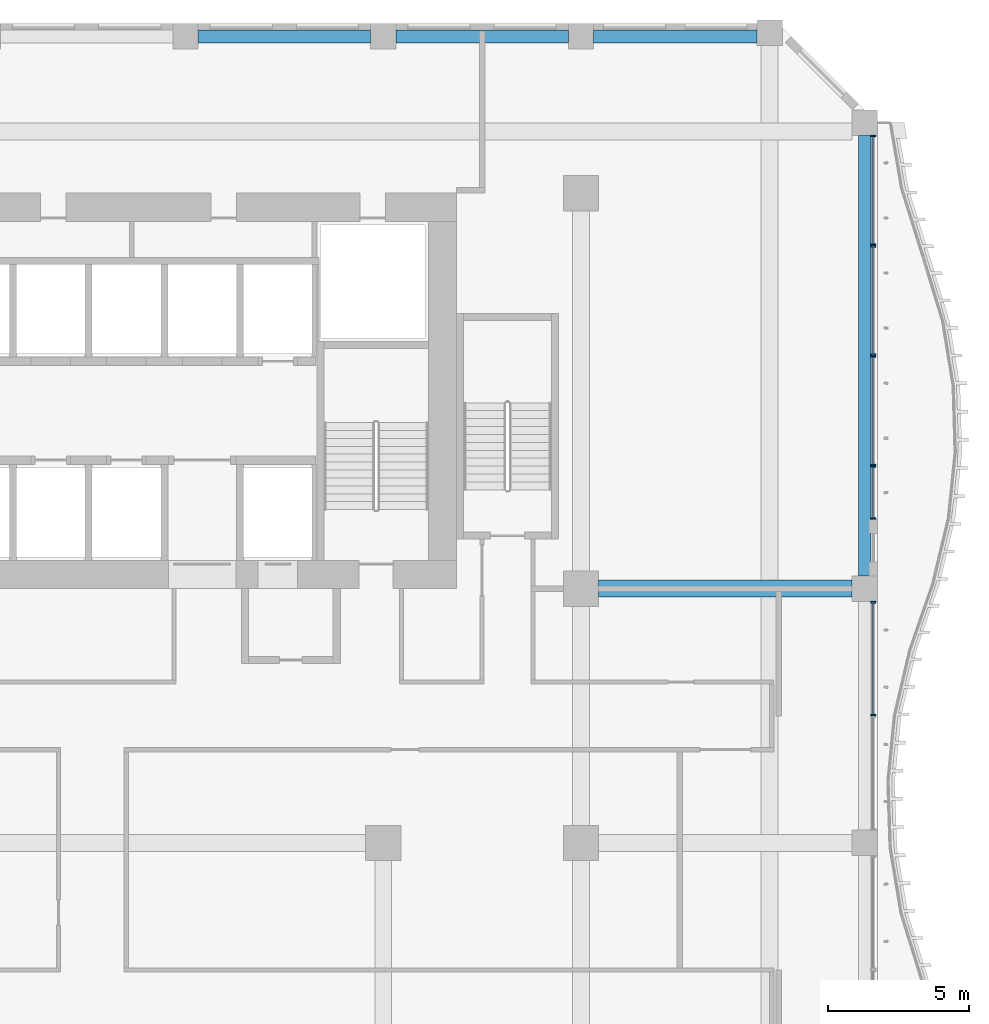
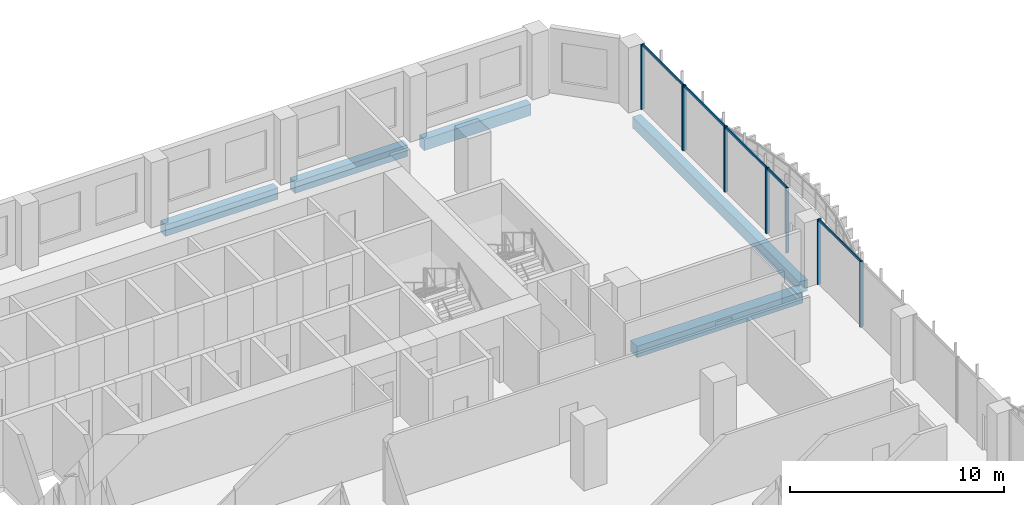
# One storey, part 8 of 25: 15 members, 5 beams, 5 elements without a shape of their own.
"""IFC4 building model written with IfcOpenShell, lengths in metres."""

from ifc_helpers import new_model, si_unit, direction, frame, origin, origin_2d, place, context, subcontext, project, spatial, rectangle, extrude, source, transform, mapped, material, material_profile, profile_set, type_object, element, aggregate, save


model = new_model("IFC4")

# Units and contexts
model_context = context("Model", 3, precision=1e-05, world=origin(), true_north=direction((0.0, 1.0)))
body_context = subcontext(model_context, "Body", "Model", "MODEL_VIEW")
ifc_project = project(units=[si_unit("LENGTHUNIT", "METRE"), si_unit("AREAUNIT", "SQUARE_METRE"), si_unit("VOLUMEUNIT", "CUBIC_METRE"), si_unit("PLANEANGLEUNIT", "RADIAN"), si_unit("MASSUNIT", "GRAM", prefix="KILO")], contexts=[model_context])

# Site, building, storey
site_placement = place(None, origin())
site = spatial("IfcSite", under=ifc_project, at=site_placement, CompositionType="ELEMENT")
building_placement = place(site_placement, origin())
building = spatial("IfcBuilding", under=site, at=building_placement, Name="Kilnfold Tower and Market Hall", CompositionType="ELEMENT")
storey_placement = place(building_placement, frame((0.0, 0.0, 67.199951171875)))
storey = spatial("IfcBuildingStorey", under=building, at=storey_placement, Name="L15", CompositionType="ELEMENT", Elevation=67.199951171875)

# Beams
ifc_material_1 = material(Name="Concrete C45", Category="concrete")
ifc_material_profile_1 = material_profile(ifc_material_1, rectangle(XDim=0.449951171875, YDim=0.64990234375, at=origin_2d()), Name="RC 450x650")
ifc_profile_set_1 = profile_set([ifc_material_profile_1], Name="Concrete C45")
beam_type_1 = type_object("IfcBeamType", Name="EDGE BEAM 450X650 C45", PredefinedType="BEAM", material=ifc_profile_set_1)
shared_shape_1 = source(origin(), body_context, "Body", "SweptSolid", [
    extrude(rectangle(XDim=0.449951171875, YDim=0.64990234375, at=origin_2d()), origin(), (0.0, 0.0, 1.0), 6.10009765625),
])
for number, where, z_axis, x_axis, name in (
    (1, (8.949951171875, 27.550048828125, -0.60498046875), (1.0, 0.0, 0.0), (0.0, 1.0, 0.0), "Beam EB650-B2.79"),
    (2, (15.949951171875, 27.550048828125, -0.60498046875), (1.0, 0.0, 0.0), (0.0, 1.0, 0.0), "Beam EB650-B2.80"),
):
    element("IfcBeam", number, at=place(storey_placement, frame(where, z_axis=z_axis, x_axis=x_axis)), inside=storey, type_object=beam_type_1, Name=name, PredefinedType="BEAM", context=body_context, shape_type="MappedRepresentation", body=[
        mapped(shared_shape_1, transform((0.0, 0.0, 0.0))),
    ])
shared_shape_2 = source(origin(), body_context, "Body", "SweptSolid", [
    extrude(rectangle(XDim=0.449951171875, YDim=0.64990234375, at=origin_2d()), origin(), (0.0, 0.0, 1.0), 5.78173828125),
])
beam_1_placement = place(storey_placement, frame((22.949951171875, 27.550048828125, -0.60498046875), z_axis=(1.0, 0.0, 0.0), x_axis=(0.0, 1.0, 0.0)))
element("IfcBeam", 3, at=beam_1_placement, inside=storey, type_object=beam_type_1, Name="Beam EB650-B2.81", PredefinedType="BEAM", context=body_context, shape_type="MappedRepresentation", body=[
    mapped(shared_shape_2, transform((0.0, 0.0, 0.0))),
])
shared_shape_3 = source(origin(), body_context, "Body", "SweptSolid", [
    extrude(rectangle(XDim=0.449951171875, YDim=0.64990234375, at=origin_2d()), origin(), (0.0, 0.0, 1.0), 15.60009765625),
])
beam_2_placement = place(storey_placement, frame((32.550048828125, 8.449951171875, -0.60498046875), z_axis=(0.0, 1.0, 0.0), x_axis=(-1.0, 0.0, 0.0)))
element("IfcBeam", 4, at=beam_2_placement, inside=storey, type_object=beam_type_1, Name="Beam EB650-B2.103", PredefinedType="BEAM", context=body_context, shape_type="MappedRepresentation", body=[
    mapped(shared_shape_3, transform((0.0, 0.0, 0.0))),
])
ifc_material_2 = material(Name="Concrete C45", Category="concrete")
ifc_material_profile_2 = material_profile(ifc_material_2, rectangle(XDim=0.60009765625, YDim=0.64990234375, at=origin_2d()), Name="RC 600x650")
ifc_profile_set_2 = profile_set([ifc_material_profile_2], Name="Concrete C45")
beam_type_2 = type_object("IfcBeamType", Name="BEAM 600X650 C45", PredefinedType="BEAM", material=ifc_profile_set_2)
shared_shape_4 = source(origin(), body_context, "Body", "SweptSolid", [
    extrude(rectangle(XDim=0.60009765625, YDim=0.64990234375, at=origin_2d()), origin(), (0.0, 0.0, 1.0), 8.97509765625),
])
beam_3_placement = place(storey_placement, frame((23.125, 8.0, -0.60498046875), z_axis=(1.0, 0.0, 0.0), x_axis=(0.0, 1.0, 0.0)))
element("IfcBeam", 5, at=beam_3_placement, inside=storey, type_object=beam_type_2, Name="Beam BB650-B2.73", PredefinedType="BEAM", context=body_context, shape_type="MappedRepresentation", body=[
    mapped(shared_shape_4, transform((0.0, 0.0, 0.0))),
])

# Curtain wall, members
ifc_material_3 = material(Name="Aluminium and double glazing", Category="aluminium")
curtain_wall_type = type_object("IfcCurtainWallType", Name="CW OF1 VALLEY GLAZING", PredefinedType="NOTDEFINED", material=ifc_material_3)
curtain_wall_1_placement = place(storey_placement, origin())
curtain_wall_1 = element("IfcCurtainWall", 6, at=curtain_wall_1_placement, inside=storey, type_object=curtain_wall_type, Name="Curtain wall CW1 L15 E", PredefinedType="NOTDEFINED")
ifc_material_4 = material(Name="Aluminium", Category="aluminium")
ifc_material_profile_3 = material_profile(ifc_material_4, rectangle(XDim=0.06005859375, YDim=0.179931640625, at=origin_2d()), Name="MULLION 60x180")
ifc_profile_set_3 = profile_set([ifc_material_profile_3], Name="Aluminium")
member_type_1 = type_object("IfcMemberType", Name="MULLION 60X180", PredefinedType="MULLION", material=ifc_profile_set_3)
shared_shape_5 = source(origin(), body_context, "Body", "SweptSolid", [
    extrude(rectangle(XDim=0.06005859375, YDim=0.179931640625, at=origin_2d()), origin(), (0.0, 0.0, 1.0), 3.719970703125),
])
member_1_placement = place(storey_placement, frame((32.85009765625, 3.530029296875, 0.0), z_axis=(0.0, 0.0, 1.0), x_axis=(0.0, 1.0, 0.0)))
member_1 = element("IfcMember", 7, at=member_1_placement, type_object=member_type_1, Name="CW1 mullion 1", PredefinedType="MULLION", context=body_context, shape_type="MappedRepresentation", body=[
    mapped(shared_shape_5, transform((0.0, 0.0, 0.0))),
])
member_2_placement = place(storey_placement, frame((32.85009765625, 7.52001953125, 0.0), z_axis=(0.0, 0.0, 1.0), x_axis=(0.0, 1.0, 0.0)))
member_2 = element("IfcMember", 8, at=member_2_placement, type_object=member_type_1, Name="CW1 mullion 2", PredefinedType="MULLION", context=body_context, shape_type="MappedRepresentation", body=[
    mapped(shared_shape_5, transform((0.0, 0.0, 0.0))),
])

curtain_wall_2_placement = place(storey_placement, origin())
curtain_wall_2 = element("IfcCurtainWall", 9, at=curtain_wall_2_placement, inside=storey, type_object=curtain_wall_type, Name="Curtain wall CW1 L15 E", PredefinedType="NOTDEFINED")
member_3_placement = place(storey_placement, frame((32.85009765625, 10.47998046875, 0.0), z_axis=(0.0, 0.0, 1.0), x_axis=(0.0, 1.0, 0.0)))
member_3 = element("IfcMember", 10, at=member_3_placement, type_object=member_type_1, Name="CW1 mullion 1", PredefinedType="MULLION", context=body_context, shape_type="MappedRepresentation", body=[
    mapped(shared_shape_5, transform((0.0, 0.0, 0.0))),
])
member_4_placement = place(storey_placement, frame((32.85009765625, 12.320068359375, 0.0), z_axis=(0.0, 0.0, 1.0), x_axis=(0.0, 1.0, 0.0)))
member_4 = element("IfcMember", 11, at=member_4_placement, type_object=member_type_1, Name="CW1 mullion 2", PredefinedType="MULLION", context=body_context, shape_type="MappedRepresentation", body=[
    mapped(shared_shape_5, transform((0.0, 0.0, 0.0))),
])

curtain_wall_3_placement = place(storey_placement, origin())
curtain_wall_3 = element("IfcCurtainWall", 12, at=curtain_wall_3_placement, inside=storey, type_object=curtain_wall_type, Name="Curtain wall CW1 L15 E", PredefinedType="NOTDEFINED")
member_5_placement = place(storey_placement, frame((32.85009765625, 12.3798828125, 0.0), z_axis=(0.0, 0.0, 1.0), x_axis=(0.0, 1.0, 0.0)))
member_5 = element("IfcMember", 13, at=member_5_placement, type_object=member_type_1, Name="CW1 mullion 1", PredefinedType="MULLION", context=body_context, shape_type="MappedRepresentation", body=[
    mapped(shared_shape_5, transform((0.0, 0.0, 0.0))),
])
member_6_placement = place(storey_placement, frame((32.85009765625, 16.219970703125, 0.0), z_axis=(0.0, 0.0, 1.0), x_axis=(0.0, 1.0, 0.0)))
member_6 = element("IfcMember", 14, at=member_6_placement, type_object=member_type_1, Name="CW1 mullion 2", PredefinedType="MULLION", context=body_context, shape_type="MappedRepresentation", body=[
    mapped(shared_shape_5, transform((0.0, 0.0, 0.0))),
])

curtain_wall_4_placement = place(storey_placement, origin())
curtain_wall_4 = element("IfcCurtainWall", 15, at=curtain_wall_4_placement, inside=storey, type_object=curtain_wall_type, Name="Curtain wall CW1 L15 E", PredefinedType="NOTDEFINED")
member_7_placement = place(storey_placement, frame((32.85009765625, 16.280029296875, 0.0), z_axis=(0.0, 0.0, 1.0), x_axis=(0.0, 1.0, 0.0)))
member_7 = element("IfcMember", 16, at=member_7_placement, type_object=member_type_1, Name="CW1 mullion 1", PredefinedType="MULLION", context=body_context, shape_type="MappedRepresentation", body=[
    mapped(shared_shape_5, transform((0.0, 0.0, 0.0))),
])
member_8_placement = place(storey_placement, frame((32.85009765625, 20.1201171875, 0.0), z_axis=(0.0, 0.0, 1.0), x_axis=(0.0, 1.0, 0.0)))
member_8 = element("IfcMember", 17, at=member_8_placement, type_object=member_type_1, Name="CW1 mullion 2", PredefinedType="MULLION", context=body_context, shape_type="MappedRepresentation", body=[
    mapped(shared_shape_5, transform((0.0, 0.0, 0.0))),
])

curtain_wall_5_placement = place(storey_placement, origin())
curtain_wall_5 = element("IfcCurtainWall", 18, at=curtain_wall_5_placement, inside=storey, type_object=curtain_wall_type, Name="Curtain wall CW1 L15 E", PredefinedType="NOTDEFINED")
member_9_placement = place(storey_placement, frame((32.85009765625, 20.179931640625, 0.0), z_axis=(0.0, 0.0, 1.0), x_axis=(0.0, 1.0, 0.0)))
member_9 = element("IfcMember", 19, at=member_9_placement, type_object=member_type_1, Name="CW1 mullion 1", PredefinedType="MULLION", context=body_context, shape_type="MappedRepresentation", body=[
    mapped(shared_shape_5, transform((0.0, 0.0, 0.0))),
])
member_10_placement = place(storey_placement, frame((32.85009765625, 24.02001953125, 0.0), z_axis=(0.0, 0.0, 1.0), x_axis=(0.0, 1.0, 0.0)))
member_10 = element("IfcMember", 20, at=member_10_placement, type_object=member_type_1, Name="CW1 mullion 2", PredefinedType="MULLION", context=body_context, shape_type="MappedRepresentation", body=[
    mapped(shared_shape_5, transform((0.0, 0.0, 0.0))),
])

# Member
ifc_material_5 = material(Name="Aluminium", Category="aluminium")
ifc_material_profile_4 = material_profile(ifc_material_5, rectangle(XDim=0.06005859375, YDim=0.139892578125, at=origin_2d()), Name="TRANSOM 60x140")
ifc_profile_set_4 = profile_set([ifc_material_profile_4], Name="Aluminium")
member_type_2 = type_object("IfcMemberType", Name="TRANSOM 60X140", PredefinedType="USERDEFINED", material=ifc_profile_set_4)
shared_shape_6 = source(origin(), body_context, "Body", "SweptSolid", [
    extrude(rectangle(XDim=0.06005859375, YDim=0.139892578125, at=origin_2d()), origin(), (0.0, 0.0, 1.0), 3.929931640625),
])
member_11_placement = place(storey_placement, frame((32.85009765625, 3.56005859375, 3.68994140625), z_axis=(0.0, 1.0, 0.0), x_axis=(-1.0, 0.0, 0.0)))
member_11 = element("IfcMember", 21, at=member_11_placement, type_object=member_type_2, Name="CW1 transom 1.2", ObjectType="TRANSOM", PredefinedType="USERDEFINED", context=body_context, shape_type="MappedRepresentation", body=[
    mapped(shared_shape_6, transform((0.0, 0.0, 0.0))),
])

aggregate(curtain_wall_1, [member_1, member_2, member_11])

shared_shape_7 = source(origin(), body_context, "Body", "SweptSolid", [
    extrude(rectangle(XDim=0.06005859375, YDim=0.139892578125, at=origin_2d()), origin(), (0.0, 0.0, 1.0), 3.780029296875),
])
member_12_placement = place(storey_placement, frame((32.85009765625, 12.409912109375, 3.68994140625), z_axis=(0.0, 1.0, 0.0), x_axis=(-1.0, 0.0, 0.0)))
member_12 = element("IfcMember", 22, at=member_12_placement, type_object=member_type_2, Name="CW1 transom 1.2", ObjectType="TRANSOM", PredefinedType="USERDEFINED", context=body_context, shape_type="MappedRepresentation", body=[
    mapped(shared_shape_7, transform((0.0, 0.0, 0.0))),
])

aggregate(curtain_wall_3, [member_5, member_6, member_12])

member_13_placement = place(storey_placement, frame((32.85009765625, 16.31005859375, 3.68994140625), z_axis=(0.0, 1.0, 0.0), x_axis=(-1.0, 0.0, 0.0)))
member_13 = element("IfcMember", 23, at=member_13_placement, type_object=member_type_2, Name="CW1 transom 1.2", ObjectType="TRANSOM", PredefinedType="USERDEFINED", context=body_context, shape_type="MappedRepresentation", body=[
    mapped(shared_shape_7, transform((0.0, 0.0, 0.0))),
])

aggregate(curtain_wall_4, [member_7, member_8, member_13])

member_14_placement = place(storey_placement, frame((32.85009765625, 20.2099609375, 3.68994140625), z_axis=(0.0, 1.0, 0.0), x_axis=(-1.0, 0.0, 0.0)))
member_14 = element("IfcMember", 24, at=member_14_placement, type_object=member_type_2, Name="CW1 transom 1.2", ObjectType="TRANSOM", PredefinedType="USERDEFINED", context=body_context, shape_type="MappedRepresentation", body=[
    mapped(shared_shape_7, transform((0.0, 0.0, 0.0))),
])

aggregate(curtain_wall_5, [member_9, member_10, member_14])

shared_shape_8 = source(origin(), body_context, "Body", "SweptSolid", [
    extrude(rectangle(XDim=0.06005859375, YDim=0.139892578125, at=origin_2d()), origin(), (0.0, 0.0, 1.0), 1.780029296875),
])
member_15_placement = place(storey_placement, frame((32.85009765625, 10.510009765625, 3.68994140625), z_axis=(0.0, 1.0, 0.0), x_axis=(-1.0, 0.0, 0.0)))
member_15 = element("IfcMember", 25, at=member_15_placement, type_object=member_type_2, Name="CW1 transom 1.2", ObjectType="TRANSOM", PredefinedType="USERDEFINED", context=body_context, shape_type="MappedRepresentation", body=[
    mapped(shared_shape_8, transform((0.0, 0.0, 0.0))),
])

aggregate(curtain_wall_2, [member_3, member_4, member_15])

save(model, "model.ifc")
